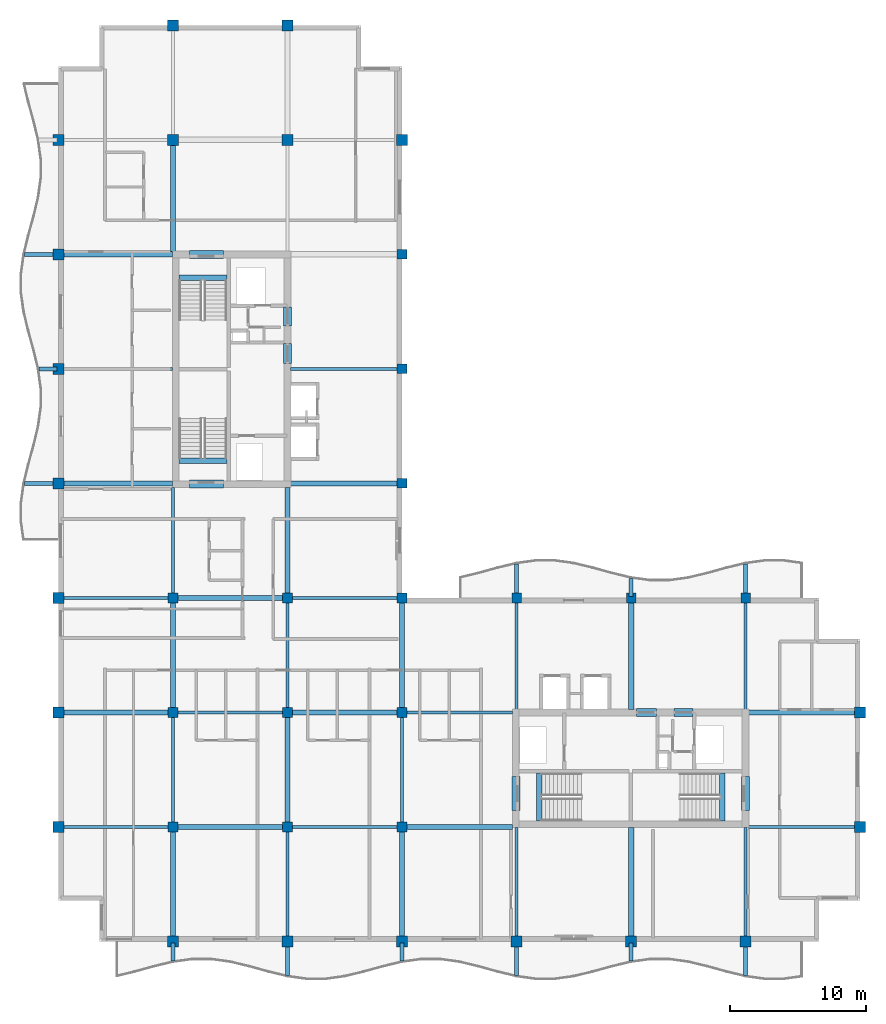
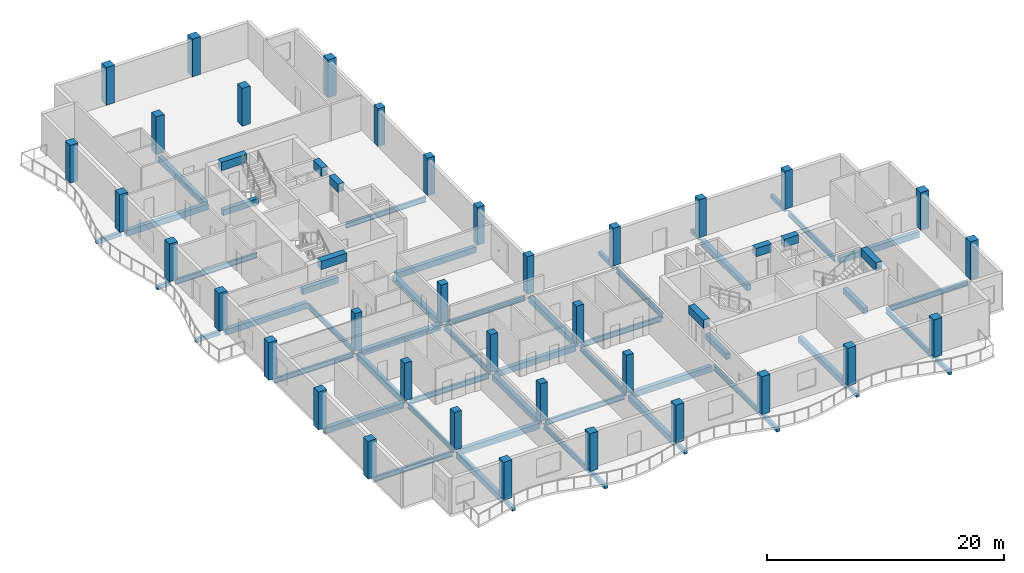
# One storey, part 1 of 11: 60 beams, 35 columns.
"""IFC4 building model written with IfcOpenShell, lengths in metres."""

from ifc_helpers import new_model, si_unit, direction, frame, origin, origin_2d, place, context, subcontext, project, spatial, rectangle, i_section, extrude, material, material_profile, profile_set, type_object, element, save


model = new_model("IFC4")

# Units and contexts
model_context = context("Model", 3, precision=1e-05, world=origin(), true_north=direction((0.0, 1.0)))
body_context = subcontext(model_context, "Body", "Model", "MODEL_VIEW")
ifc_project = project(units=[si_unit("LENGTHUNIT", "METRE"), si_unit("AREAUNIT", "SQUARE_METRE"), si_unit("VOLUMEUNIT", "CUBIC_METRE"), si_unit("PLANEANGLEUNIT", "RADIAN"), si_unit("MASSUNIT", "GRAM", prefix="KILO")], contexts=[model_context])

# Site, building, storey
site_placement = place(None, origin())
site = spatial("IfcSite", under=ifc_project, at=site_placement, CompositionType="ELEMENT")
building_placement = place(site_placement, origin())
building = spatial("IfcBuilding", under=site, at=building_placement, Name="Koriwani Terraces Tower", CompositionType="ELEMENT")
storey_placement = place(building_placement, frame((0.0, 0.0, 312.5)))
storey = spatial("IfcBuildingStorey", under=building, at=storey_placement, Name="L77", CompositionType="ELEMENT", Elevation=312.5)

# Columns
ifc_material_1 = material(Name="Concrete C50/60", Category="concrete")
ifc_material_profile_1 = material_profile(ifc_material_1, rectangle(XDim=0.699951171875, YDim=0.699951171875, at=origin_2d()), Name="Concrete C50/60", Category="LoadBearing")
ifc_profile_set_1 = profile_set([ifc_material_profile_1], Name="Concrete C50/60")
column_type_1 = type_object("IfcColumnType", Name="COL_RC_700X700", PredefinedType="COLUMN", material=ifc_profile_set_1)
for number, where, z_axis, x_axis, name in (
    (1, (16.800048828125, 16.800048828125, 0.0), (0.0, 0.0, 1.0), (1.0, 0.0, 0.0), "L77 Column 3/C"),
    (2, (16.800048828125, 25.199951171875, 0.0), (0.0, 0.0, 1.0), (1.0, 0.0, 0.0), "L77 Column 3/D"),
    (3, (16.800048828125, 33.60009765625, 0.0), (0.0, 0.0, 1.0), (1.0, 0.0, 0.0), "L77 Column 3/E"),
    (4, (25.199951171875, 16.800048828125, 0.0), (0.0, 0.0, 1.0), (1.0, 0.0, 0.0), "L77 Column 4/C"),
    (5, (25.199951171875, 25.199951171875, 0.0), (0.0, 0.0, 1.0), (1.0, 0.0, 0.0), "L77 Column 4/D"),
    (6, (25.199951171875, 33.60009765625, 0.0), (0.0, 0.0, 1.0), (1.0, 0.0, 0.0), "L77 Column 4/E"),
    (7, (33.60009765625, 16.800048828125, 0.0), (0.0, 0.0, 1.0), (1.0, 0.0, 0.0), "L77 Column 5/C"),
    (8, (33.60009765625, 25.199951171875, 0.0), (0.0, 0.0, 1.0), (1.0, 0.0, 0.0), "L77 Column 5/D"),
    (9, (33.60009765625, 33.60009765625, 0.0), (0.0, 0.0, 1.0), (1.0, 0.0, 0.0), "L77 Column 5/E"),
    (10, (33.60009765625, 42.0, 0.0), (0.0, 0.0, 1.0), (1.0, 0.0, 0.0), "L77 Column 5/F"),
    (11, (33.60009765625, 50.39990234375, 0.0), (0.0, 0.0, 1.0), (1.0, 0.0, 0.0), "L77 Column 5/G"),
    (12, (33.60009765625, 58.800048828125, 0.0), (0.0, 0.0, 1.0), (1.0, 0.0, 0.0), "L77 Column 5/H"),
    (13, (42.0, 33.60009765625, 0.0), (0.0, 0.0, 1.0), (1.0, 0.0, 0.0), "L77 Column 6/E"),
    (14, (50.39990234375, 33.60009765625, 0.0), (0.0, 0.0, 1.0), (1.0, 0.0, 0.0), "L77 Column 7/E"),
    (15, (58.800048828125, 33.60009765625, 0.0), (0.0, 0.0, 1.0), (1.0, 0.0, 0.0), "L77 Column 8/E"),
):
    element("IfcColumn", number, at=place(storey_placement, frame(where, z_axis=z_axis, x_axis=x_axis)), inside=storey, type_object=column_type_1, Name=name, PredefinedType="COLUMN", context=body_context, shape_type="SweptSolid", body=[
        extrude(rectangle(XDim=0.699951171875, YDim=0.699951171875, at=origin_2d()), origin(), (0.0, 0.0, 1.0), 3.89990234375),
    ])
ifc_material_profile_2 = material_profile(ifc_material_1, rectangle(XDim=0.800048828125, YDim=0.800048828125, at=origin_2d()), Name="Concrete C50/60", Category="LoadBearing")
ifc_profile_set_2 = profile_set([ifc_material_profile_2], Name="Concrete C50/60")
column_type_2 = type_object("IfcColumnType", Name="COL_RC_800X800", PredefinedType="COLUMN", material=ifc_profile_set_2)
for number, where, z_axis, x_axis, name in (
    (16, (8.39990234375, 16.800048828125, 0.0), (0.0, 0.0, 1.0), (1.0, 0.0, 0.0), "L77 Column 2/C"),
    (17, (8.39990234375, 25.199951171875, 0.0), (0.0, 0.0, 1.0), (1.0, 0.0, 0.0), "L77 Column 2/D"),
    (18, (8.39990234375, 33.60009765625, 0.0), (0.0, 0.0, 1.0), (1.0, 0.0, 0.0), "L77 Column 2/E"),
    (19, (8.39990234375, 42.0, 0.0), (0.0, 0.0, 1.0), (1.0, 0.0, 0.0), "L77 Column 2/F"),
    (20, (8.39990234375, 50.39990234375, 0.0), (0.0, 0.0, 1.0), (1.0, 0.0, 0.0), "L77 Column 2/G"),
    (21, (8.39990234375, 58.800048828125, 0.0), (0.0, 0.0, 1.0), (1.0, 0.0, 0.0), "L77 Column 2/H"),
    (22, (8.39990234375, 67.199951171875, 0.0), (0.0, 0.0, 1.0), (1.0, 0.0, 0.0), "L77 Column 2/I"),
    (23, (16.800048828125, 8.39990234375, 0.0), (0.0, 0.0, 1.0), (1.0, 0.0, 0.0), "L77 Column 3/B"),
    (24, (16.800048828125, 67.199951171875, 0.0), (0.0, 0.0, 1.0), (1.0, 0.0, 0.0), "L77 Column 3/I"),
    (25, (16.800048828125, 75.60009765625, 0.0), (0.0, 0.0, 1.0), (1.0, 0.0, 0.0), "L77 Column 3/J"),
    (26, (25.199951171875, 8.39990234375, 0.0), (0.0, 0.0, 1.0), (1.0, 0.0, 0.0), "L77 Column 4/B"),
    (27, (25.199951171875, 67.199951171875, 0.0), (0.0, 0.0, 1.0), (1.0, 0.0, 0.0), "L77 Column 4/I"),
    (28, (25.199951171875, 75.60009765625, 0.0), (0.0, 0.0, 1.0), (1.0, 0.0, 0.0), "L77 Column 4/J"),
    (29, (33.60009765625, 8.39990234375, 0.0), (0.0, 0.0, 1.0), (1.0, 0.0, 0.0), "L77 Column 5/B"),
    (30, (33.60009765625, 67.199951171875, 0.0), (0.0, 0.0, 1.0), (1.0, 0.0, 0.0), "L77 Column 5/I"),
    (31, (42.0, 8.39990234375, 0.0), (0.0, 0.0, 1.0), (1.0, 0.0, 0.0), "L77 Column 6/B"),
    (32, (50.39990234375, 8.39990234375, 0.0), (0.0, 0.0, 1.0), (1.0, 0.0, 0.0), "L77 Column 7/B"),
    (33, (58.800048828125, 8.39990234375, 0.0), (0.0, 0.0, 1.0), (1.0, 0.0, 0.0), "L77 Column 8/B"),
    (34, (67.199951171875, 16.800048828125, 0.0), (0.0, 0.0, 1.0), (1.0, 0.0, 0.0), "L77 Column 9/C"),
    (35, (67.199951171875, 25.199951171875, 0.0), (0.0, 0.0, 1.0), (1.0, 0.0, 0.0), "L77 Column 9/D"),
):
    element("IfcColumn", number, at=place(storey_placement, frame(where, z_axis=z_axis, x_axis=x_axis)), inside=storey, type_object=column_type_2, Name=name, PredefinedType="COLUMN", context=body_context, shape_type="SweptSolid", body=[
        extrude(rectangle(XDim=0.800048828125, YDim=0.800048828125, at=origin_2d()), origin(), (0.0, 0.0, 1.0), 3.89990234375),
    ])

# Beams
ifc_material_2 = material(Name="Concrete C40/50", Category="concrete")
ifc_material_profile_3 = material_profile(ifc_material_2, rectangle(XDim=0.300048828125, YDim=0.39990234375, at=origin_2d()), Name="Concrete C40/50", Category="LoadBearing")
ifc_profile_set_3 = profile_set([ifc_material_profile_3], Name="Concrete C40/50")
beam_type_1 = type_object("IfcBeamType", Name="BEAM_RC_BALCONY_RIB_300X400", PredefinedType="JOIST", material=ifc_profile_set_3)
beam_1_placement = place(storey_placement, frame((16.800048828125, 6.980224609375, -0.429931640625), z_axis=(0.0, 1.0, 0.0), x_axis=(-1.0, 0.0, 0.0)))
element("IfcBeam", 36, at=beam_1_placement, inside=storey, type_object=beam_type_1, Name="L77 Balcony Bracket Rib S-1", PredefinedType="JOIST", context=body_context, shape_type="SweptSolid", body=[
    extrude(rectangle(XDim=0.300048828125, YDim=0.39990234375, at=origin_2d()), origin(), (0.0, 0.0, 1.0), 1.31982421875),
])
beam_2_placement = place(storey_placement, frame((25.199951171875, 5.919677734375, -0.429931640625), z_axis=(0.0, 1.0, 0.0), x_axis=(-1.0, 0.0, 0.0)))
element("IfcBeam", 37, at=beam_2_placement, inside=storey, type_object=beam_type_1, Name="L77 Balcony Bracket Rib S-2", PredefinedType="JOIST", context=body_context, shape_type="SweptSolid", body=[
    extrude(rectangle(XDim=0.300048828125, YDim=0.39990234375, at=origin_2d()), origin(), (0.0, 0.0, 1.0), 2.38037109375),
])
beam_3_placement = place(storey_placement, frame((33.60009765625, 6.980224609375, -0.429931640625), z_axis=(0.0, 1.0, 0.0), x_axis=(-1.0, 0.0, 0.0)))
element("IfcBeam", 38, at=beam_3_placement, inside=storey, type_object=beam_type_1, Name="L77 Balcony Bracket Rib S-3", PredefinedType="JOIST", context=body_context, shape_type="SweptSolid", body=[
    extrude(rectangle(XDim=0.300048828125, YDim=0.39990234375, at=origin_2d()), origin(), (0.0, 0.0, 1.0), 1.31982421875),
])
beam_4_placement = place(storey_placement, frame((42.0, 5.919677734375, -0.429931640625), z_axis=(0.0, 1.0, 0.0), x_axis=(-1.0, 0.0, 0.0)))
element("IfcBeam", 39, at=beam_4_placement, inside=storey, type_object=beam_type_1, Name="L77 Balcony Bracket Rib S-4", PredefinedType="JOIST", context=body_context, shape_type="SweptSolid", body=[
    extrude(rectangle(XDim=0.300048828125, YDim=0.39990234375, at=origin_2d()), origin(), (0.0, 0.0, 1.0), 2.38037109375),
])
beam_5_placement = place(storey_placement, frame((50.39990234375, 6.980224609375, -0.429931640625), z_axis=(0.0, 1.0, 0.0), x_axis=(-1.0, 0.0, 0.0)))
element("IfcBeam", 40, at=beam_5_placement, inside=storey, type_object=beam_type_1, Name="L77 Balcony Bracket Rib S-5", PredefinedType="JOIST", context=body_context, shape_type="SweptSolid", body=[
    extrude(rectangle(XDim=0.300048828125, YDim=0.39990234375, at=origin_2d()), origin(), (0.0, 0.0, 1.0), 1.31982421875),
])
for number, where, z_axis, x_axis, name in (
    (41, (58.800048828125, 5.919677734375, -0.429931640625), (0.0, 1.0, 0.0), (-1.0, 0.0, 0.0), "L77 Balcony Bracket Rib S-6"),
    (42, (5.919677734375, 42.0, -0.429931640625), (1.0, 0.0, 0.0), (0.0, 1.0, 0.0), "L77 Balcony Bracket Rib W-1"),
):
    element("IfcBeam", number, at=place(storey_placement, frame(where, z_axis=z_axis, x_axis=x_axis)), inside=storey, type_object=beam_type_1, Name=name, PredefinedType="JOIST", context=body_context, shape_type="SweptSolid", body=[
        extrude(rectangle(XDim=0.300048828125, YDim=0.39990234375, at=origin_2d()), origin(), (0.0, 0.0, 1.0), 2.38037109375),
    ])
beam_6_placement = place(storey_placement, frame((6.980224609375, 50.39990234375, -0.429931640625), z_axis=(1.0, 0.0, 0.0), x_axis=(0.0, 1.0, 0.0)))
element("IfcBeam", 43, at=beam_6_placement, inside=storey, type_object=beam_type_1, Name="L77 Balcony Bracket Rib W-2", PredefinedType="JOIST", context=body_context, shape_type="SweptSolid", body=[
    extrude(rectangle(XDim=0.300048828125, YDim=0.39990234375, at=origin_2d()), origin(), (0.0, 0.0, 1.0), 1.31982421875),
])
for number, where, z_axis, x_axis, name in (
    (44, (5.919677734375, 58.800048828125, -0.429931640625), (1.0, 0.0, 0.0), (0.0, 1.0, 0.0), "L77 Balcony Bracket Rib W-3"),
    (45, (42.0, 33.699951171875, -0.429931640625), (0.0, 1.0, 0.0), (-1.0, 0.0, 0.0), "L77 Balcony Bracket Rib NE-1"),
):
    element("IfcBeam", number, at=place(storey_placement, frame(where, z_axis=z_axis, x_axis=x_axis)), inside=storey, type_object=beam_type_1, Name=name, PredefinedType="JOIST", context=body_context, shape_type="SweptSolid", body=[
        extrude(rectangle(XDim=0.300048828125, YDim=0.39990234375, at=origin_2d()), origin(), (0.0, 0.0, 1.0), 2.38037109375),
    ])
beam_7_placement = place(storey_placement, frame((50.39990234375, 33.699951171875, -0.429931640625), z_axis=(0.0, 1.0, 0.0), x_axis=(-1.0, 0.0, 0.0)))
element("IfcBeam", 46, at=beam_7_placement, inside=storey, type_object=beam_type_1, Name="L77 Balcony Bracket Rib NE-2", PredefinedType="JOIST", context=body_context, shape_type="SweptSolid", body=[
    extrude(rectangle(XDim=0.300048828125, YDim=0.39990234375, at=origin_2d()), origin(), (0.0, 0.0, 1.0), 1.31982421875),
])
beam_8_placement = place(storey_placement, frame((58.800048828125, 33.699951171875, -0.429931640625), z_axis=(0.0, 1.0, 0.0), x_axis=(-1.0, 0.0, 0.0)))
element("IfcBeam", 47, at=beam_8_placement, inside=storey, type_object=beam_type_1, Name="L77 Balcony Bracket Rib NE-3", PredefinedType="JOIST", context=body_context, shape_type="SweptSolid", body=[
    extrude(rectangle(XDim=0.300048828125, YDim=0.39990234375, at=origin_2d()), origin(), (0.0, 0.0, 1.0), 2.38037109375),
])
ifc_material_profile_4 = material_profile(ifc_material_1, rectangle(XDim=0.60009765625, YDim=0.85009765625, at=origin_2d()), Name="Concrete C50/60", Category="LoadBearing")
ifc_profile_set_4 = profile_set([ifc_material_profile_4], Name="Concrete C50/60")
beam_type_2 = type_object("IfcBeamType", Name="BEAM_RC_COUPLING_600X850", PredefinedType="LINTEL", material=ifc_profile_set_4)
beam_9_placement = place(storey_placement, frame((25.199951171875, 50.800048828125, 3.2451171875), z_axis=(0.0, 1.0, 0.0), x_axis=(-1.0, 0.0, 0.0)))
element("IfcBeam", 48, at=beam_9_placement, inside=storey, type_object=beam_type_2, Name="L77 Core Coupling Lintel Beam WE1", PredefinedType="LINTEL", context=body_context, shape_type="SweptSolid", body=[
    extrude(rectangle(XDim=0.60009765625, YDim=0.85009765625, at=origin_2d()), origin(), (0.0, 0.0, 1.0), 1.47998046875),
])
beam_10_placement = place(storey_placement, frame((25.199951171875, 53.550048828125, 3.2451171875), z_axis=(0.0, 1.0, 0.0), x_axis=(-1.0, 0.0, 0.0)))
element("IfcBeam", 49, at=beam_10_placement, inside=storey, type_object=beam_type_2, Name="L77 Core Coupling Lintel Beam WE2", PredefinedType="LINTEL", context=body_context, shape_type="SweptSolid", body=[
    extrude(rectangle(XDim=0.60009765625, YDim=0.85009765625, at=origin_2d()), origin(), (0.0, 0.0, 1.0), 1.39990234375),
])
for number, where, z_axis, x_axis, name in (
    (50, (18.0, 41.949951171875, 3.2451171875), (1.0, 0.0, 0.0), (0.0, 1.0, 0.0), "L77 Core Coupling Lintel Beam WS"),
    (51, (18.0, 58.800048828125, 3.2451171875), (1.0, 0.0, 0.0), (0.0, 1.0, 0.0), "L77 Core Coupling Lintel Beam WN"),
):
    element("IfcBeam", number, at=place(storey_placement, frame(where, z_axis=z_axis, x_axis=x_axis)), inside=storey, type_object=beam_type_2, Name=name, PredefinedType="LINTEL", context=body_context, shape_type="SweptSolid", body=[
        extrude(rectangle(XDim=0.60009765625, YDim=0.85009765625, at=origin_2d()), origin(), (0.0, 0.0, 1.0), 2.5),
    ])
beam_11_placement = place(storey_placement, frame((50.800048828125, 25.199951171875, 3.2451171875), z_axis=(1.0, 0.0, 0.0), x_axis=(0.0, 1.0, 0.0)))
element("IfcBeam", 52, at=beam_11_placement, inside=storey, type_object=beam_type_2, Name="L77 Core Coupling Lintel Beam EN1", PredefinedType="LINTEL", context=body_context, shape_type="SweptSolid", body=[
    extrude(rectangle(XDim=0.60009765625, YDim=0.85009765625, at=origin_2d()), origin(), (0.0, 0.0, 1.0), 1.47998046875),
])
beam_12_placement = place(storey_placement, frame((53.550048828125, 25.199951171875, 3.2451171875), z_axis=(1.0, 0.0, 0.0), x_axis=(0.0, 1.0, 0.0)))
element("IfcBeam", 53, at=beam_12_placement, inside=storey, type_object=beam_type_2, Name="L77 Core Coupling Lintel Beam EN2", PredefinedType="LINTEL", context=body_context, shape_type="SweptSolid", body=[
    extrude(rectangle(XDim=0.60009765625, YDim=0.85009765625, at=origin_2d()), origin(), (0.0, 0.0, 1.0), 1.39990234375),
])
for number, where, z_axis, x_axis, name in (
    (54, (41.949951171875, 18.0, 3.2451171875), (0.0, 1.0, 0.0), (-1.0, 0.0, 0.0), "L77 Core Coupling Lintel Beam EW"),
    (55, (58.800048828125, 18.0, 3.2451171875), (0.0, 1.0, 0.0), (-1.0, 0.0, 0.0), "L77 Core Coupling Lintel Beam EE"),
):
    element("IfcBeam", number, at=place(storey_placement, frame(where, z_axis=z_axis, x_axis=x_axis)), inside=storey, type_object=beam_type_2, Name=name, PredefinedType="LINTEL", context=body_context, shape_type="SweptSolid", body=[
        extrude(rectangle(XDim=0.60009765625, YDim=0.85009765625, at=origin_2d()), origin(), (0.0, 0.0, 1.0), 2.5),
    ])
ifc_material_profile_5 = material_profile(ifc_material_2, rectangle(XDim=0.39990234375, YDim=0.60009765625, at=origin_2d()), Name="Concrete C40/50", Category="LoadBearing")
ifc_profile_set_5 = profile_set([ifc_material_profile_5], Name="Concrete C40/50")
beam_type_3 = type_object("IfcBeamType", Name="BEAM_RC_GRID_400X600", PredefinedType="BEAM", material=ifc_profile_set_5)
for number, where, z_axis, x_axis, name in (
    (56, (17.25, 43.655029296875, -0.300048828125), (1.0, 0.0, 0.0), (0.0, 1.0, 0.0), "L77 Stairwell Header Trimmer Beam ST-W1"),
    (57, (17.25, 57.094970703125, -0.300048828125), (1.0, 0.0, 0.0), (0.0, 1.0, 0.0), "L77 Stairwell Header Trimmer Beam ST-W2"),
    (58, (43.655029296875, 17.25, -0.300048828125), (0.0, 1.0, 0.0), (-1.0, 0.0, 0.0), "L77 Stairwell Header Trimmer Beam ST-E1"),
    (59, (57.094970703125, 17.25, -0.300048828125), (0.0, 1.0, 0.0), (-1.0, 0.0, 0.0), "L77 Stairwell Header Trimmer Beam ST-E2"),
):
    element("IfcBeam", number, at=place(storey_placement, frame(where, z_axis=z_axis, x_axis=x_axis)), inside=storey, type_object=beam_type_3, Name=name, PredefinedType="BEAM", context=body_context, shape_type="SweptSolid", body=[
        extrude(rectangle(XDim=0.39990234375, YDim=0.60009765625, at=origin_2d()), origin(), (0.0, 0.0, 1.0), 3.5),
    ])
beam_13_placement = place(storey_placement, frame((17.1298828125, 16.800048828125, -0.530029296875), z_axis=(1.0, 0.0, 0.0), x_axis=(0.0, 1.0, 0.0)))
element("IfcBeam", 60, at=beam_13_placement, inside=storey, type_object=beam_type_3, Name="L77 Grid Beam C (16.8-25.2m)", PredefinedType="BEAM", context=body_context, shape_type="SweptSolid", body=[
    extrude(rectangle(XDim=0.39990234375, YDim=0.60009765625, at=origin_2d()), origin(), (0.0, 0.0, 1.0), 7.740234375),
])
beam_14_placement = place(storey_placement, frame((33.929931640625, 16.800048828125, -0.530029296875), z_axis=(1.0, 0.0, 0.0), x_axis=(0.0, 1.0, 0.0)))
element("IfcBeam", 61, at=beam_14_placement, inside=storey, type_object=beam_type_3, Name="L77 Grid Beam C (33.6-42.0m)", PredefinedType="BEAM", context=body_context, shape_type="SweptSolid", body=[
    extrude(rectangle(XDim=0.39990234375, YDim=0.60009765625, at=origin_2d()), origin(), (0.0, 0.0, 1.0), 7.7900390625),
])
beam_15_placement = place(storey_placement, frame((8.780029296875, 25.199951171875, -0.530029296875), z_axis=(1.0, 0.0, 0.0), x_axis=(0.0, 1.0, 0.0)))
element("IfcBeam", 62, at=beam_15_placement, inside=storey, type_object=beam_type_3, Name="L77 Grid Beam D (8.4-16.8m)", PredefinedType="BEAM", context=body_context, shape_type="SweptSolid", body=[
    extrude(rectangle(XDim=0.39990234375, YDim=0.60009765625, at=origin_2d()), origin(), (0.0, 0.0, 1.0), 7.68994140625),
])
beam_16_placement = place(storey_placement, frame((25.530029296875, 25.199951171875, -0.530029296875), z_axis=(1.0, 0.0, 0.0), x_axis=(0.0, 1.0, 0.0)))
element("IfcBeam", 63, at=beam_16_placement, inside=storey, type_object=beam_type_3, Name="L77 Grid Beam D (25.2-33.6m)", PredefinedType="BEAM", context=body_context, shape_type="SweptSolid", body=[
    extrude(rectangle(XDim=0.39990234375, YDim=0.60009765625, at=origin_2d()), origin(), (0.0, 0.0, 1.0), 7.739990234375),
])
beam_17_placement = place(storey_placement, frame((59.030029296875, 25.199951171875, -0.530029296875), z_axis=(1.0, 0.0, 0.0), x_axis=(0.0, 1.0, 0.0)))
element("IfcBeam", 64, at=beam_17_placement, inside=storey, type_object=beam_type_3, Name="L77 Grid Beam D (58.8-67.2m)", PredefinedType="BEAM", context=body_context, shape_type="SweptSolid", body=[
    extrude(rectangle(XDim=0.39990234375, YDim=0.60009765625, at=origin_2d()), origin(), (0.0, 0.0, 1.0), 7.7900390625),
])
beam_18_placement = place(storey_placement, frame((17.1298828125, 33.60009765625, -0.530029296875), z_axis=(1.0, 0.0, 0.0), x_axis=(0.0, 1.0, 0.0)))
element("IfcBeam", 65, at=beam_18_placement, inside=storey, type_object=beam_type_3, Name="L77 Grid Beam E (16.8-25.2m)", PredefinedType="BEAM", context=body_context, shape_type="SweptSolid", body=[
    extrude(rectangle(XDim=0.39990234375, YDim=0.60009765625, at=origin_2d()), origin(), (0.0, 0.0, 1.0), 7.740234375),
])
beam_19_placement = place(storey_placement, frame((8.780029296875, 42.0, -0.530029296875), z_axis=(1.0, 0.0, 0.0), x_axis=(0.0, 1.0, 0.0)))
element("IfcBeam", 66, at=beam_19_placement, inside=storey, type_object=beam_type_3, Name="L77 Grid Beam F (8.4-16.8m)", PredefinedType="BEAM", context=body_context, shape_type="SweptSolid", body=[
    extrude(rectangle(XDim=0.39990234375, YDim=0.60009765625, at=origin_2d()), origin(), (0.0, 0.0, 1.0), 7.989990234375),
])
beam_20_placement = place(storey_placement, frame((25.429931640625, 42.0, -0.530029296875), z_axis=(1.0, 0.0, 0.0), x_axis=(0.0, 1.0, 0.0)))
element("IfcBeam", 67, at=beam_20_placement, inside=storey, type_object=beam_type_3, Name="L77 Grid Beam F (25.2-33.6m)", PredefinedType="BEAM", context=body_context, shape_type="SweptSolid", body=[
    extrude(rectangle(XDim=0.39990234375, YDim=0.60009765625, at=origin_2d()), origin(), (0.0, 0.0, 1.0), 7.840087890625),
])
beam_21_placement = place(storey_placement, frame((8.780029296875, 58.800048828125, -0.530029296875), z_axis=(1.0, 0.0, 0.0), x_axis=(0.0, 1.0, 0.0)))
element("IfcBeam", 68, at=beam_21_placement, inside=storey, type_object=beam_type_3, Name="L77 Grid Beam H (8.4-16.8m)", PredefinedType="BEAM", context=body_context, shape_type="SweptSolid", body=[
    extrude(rectangle(XDim=0.39990234375, YDim=0.60009765625, at=origin_2d()), origin(), (0.0, 0.0, 1.0), 7.989990234375),
])
beam_22_placement = place(storey_placement, frame((16.800048828125, 8.780029296875, -0.530029296875), z_axis=(0.0, 1.0, 0.0), x_axis=(-1.0, 0.0, 0.0)))
element("IfcBeam", 69, at=beam_22_placement, inside=storey, type_object=beam_type_3, Name="L77 Grid Beam 3 (8.4-16.8m)", PredefinedType="BEAM", context=body_context, shape_type="SweptSolid", body=[
    extrude(rectangle(XDim=0.39990234375, YDim=0.60009765625, at=origin_2d()), origin(), (0.0, 0.0, 1.0), 7.68994140625),
])
beam_23_placement = place(storey_placement, frame((16.800048828125, 25.530029296875, -0.530029296875), z_axis=(0.0, 1.0, 0.0), x_axis=(-1.0, 0.0, 0.0)))
element("IfcBeam", 70, at=beam_23_placement, inside=storey, type_object=beam_type_3, Name="L77 Grid Beam 3 (25.2-33.6m)", PredefinedType="BEAM", context=body_context, shape_type="SweptSolid", body=[
    extrude(rectangle(XDim=0.39990234375, YDim=0.60009765625, at=origin_2d()), origin(), (0.0, 0.0, 1.0), 7.739990234375),
])
beam_24_placement = place(storey_placement, frame((16.800048828125, 59.030029296875, -0.530029296875), z_axis=(0.0, 1.0, 0.0), x_axis=(-1.0, 0.0, 0.0)))
element("IfcBeam", 71, at=beam_24_placement, inside=storey, type_object=beam_type_3, Name="L77 Grid Beam 3 (58.8-67.2m)", PredefinedType="BEAM", context=body_context, shape_type="SweptSolid", body=[
    extrude(rectangle(XDim=0.39990234375, YDim=0.60009765625, at=origin_2d()), origin(), (0.0, 0.0, 1.0), 7.7900390625),
])
beam_25_placement = place(storey_placement, frame((25.199951171875, 17.1298828125, -0.530029296875), z_axis=(0.0, 1.0, 0.0), x_axis=(-1.0, 0.0, 0.0)))
element("IfcBeam", 72, at=beam_25_placement, inside=storey, type_object=beam_type_3, Name="L77 Grid Beam 4 (16.8-25.2m)", PredefinedType="BEAM", context=body_context, shape_type="SweptSolid", body=[
    extrude(rectangle(XDim=0.39990234375, YDim=0.60009765625, at=origin_2d()), origin(), (0.0, 0.0, 1.0), 7.740234375),
])
beam_26_placement = place(storey_placement, frame((25.199951171875, 33.929931640625, -0.530029296875), z_axis=(0.0, 1.0, 0.0), x_axis=(-1.0, 0.0, 0.0)))
element("IfcBeam", 73, at=beam_26_placement, inside=storey, type_object=beam_type_3, Name="L77 Grid Beam 4 (33.6-42.0m)", PredefinedType="BEAM", context=body_context, shape_type="SweptSolid", body=[
    extrude(rectangle(XDim=0.39990234375, YDim=0.60009765625, at=origin_2d()), origin(), (0.0, 0.0, 1.0), 7.7900390625),
])
beam_27_placement = place(storey_placement, frame((33.60009765625, 8.780029296875, -0.530029296875), z_axis=(0.0, 1.0, 0.0), x_axis=(-1.0, 0.0, 0.0)))
element("IfcBeam", 74, at=beam_27_placement, inside=storey, type_object=beam_type_3, Name="L77 Grid Beam 5 (8.4-16.8m)", PredefinedType="BEAM", context=body_context, shape_type="SweptSolid", body=[
    extrude(rectangle(XDim=0.39990234375, YDim=0.60009765625, at=origin_2d()), origin(), (0.0, 0.0, 1.0), 7.68994140625),
])
beam_28_placement = place(storey_placement, frame((33.60009765625, 25.530029296875, -0.530029296875), z_axis=(0.0, 1.0, 0.0), x_axis=(-1.0, 0.0, 0.0)))
element("IfcBeam", 75, at=beam_28_placement, inside=storey, type_object=beam_type_3, Name="L77 Grid Beam 5 (25.2-33.6m)", PredefinedType="BEAM", context=body_context, shape_type="SweptSolid", body=[
    extrude(rectangle(XDim=0.39990234375, YDim=0.60009765625, at=origin_2d()), origin(), (0.0, 0.0, 1.0), 7.739990234375),
])
beam_29_placement = place(storey_placement, frame((50.39990234375, 8.780029296875, -0.530029296875), z_axis=(0.0, 1.0, 0.0), x_axis=(-1.0, 0.0, 0.0)))
element("IfcBeam", 76, at=beam_29_placement, inside=storey, type_object=beam_type_3, Name="L77 Grid Beam 7 (8.4-16.8m)", PredefinedType="BEAM", context=body_context, shape_type="SweptSolid", body=[
    extrude(rectangle(XDim=0.39990234375, YDim=0.60009765625, at=origin_2d()), origin(), (0.0, 0.0, 1.0), 7.989990234375),
])
beam_30_placement = place(storey_placement, frame((50.39990234375, 25.429931640625, -0.530029296875), z_axis=(0.0, 1.0, 0.0), x_axis=(-1.0, 0.0, 0.0)))
element("IfcBeam", 77, at=beam_30_placement, inside=storey, type_object=beam_type_3, Name="L77 Grid Beam 7 (25.2-33.6m)", PredefinedType="BEAM", context=body_context, shape_type="SweptSolid", body=[
    extrude(rectangle(XDim=0.39990234375, YDim=0.60009765625, at=origin_2d()), origin(), (0.0, 0.0, 1.0), 7.840087890625),
])
ifc_material_3 = material(Name="Steel ASTM A572 Grade 50", Category="steel")
ifc_material_profile_6 = material_profile(ifc_material_3, i_section(OverallWidth=0.2109375, OverallDepth=0.5390625, WebThickness=0.01171875, FlangeThickness=0.018798828125, at=origin_2d()), Name="Steel ASTM A572 Grade 50", Category="LoadBearing")
ifc_profile_set_6 = profile_set([ifc_material_profile_6], Name="Steel ASTM A572 Grade 50")
beam_type_4 = type_object("IfcBeamType", Name="STEEL_BEAM_W530X109", PredefinedType="BEAM", material=ifc_profile_set_6)
beam_31_placement = place(storey_placement, frame((8.780029296875, 16.800048828125, -0.49951171875), z_axis=(1.0, 0.0, 0.0), x_axis=(0.0, 1.0, 0.0)))
element("IfcBeam", 78, at=beam_31_placement, inside=storey, type_object=beam_type_4, Name="L77 Grid Beam C (8.4-16.8m)", PredefinedType="BEAM", context=body_context, shape_type="SweptSolid", body=[
    extrude(i_section(OverallWidth=0.2109375, OverallDepth=0.5390625, WebThickness=0.01171875, FlangeThickness=0.018798828125, at=origin_2d()), origin(), (0.0, 0.0, 1.0), 7.68994140625),
])
beam_32_placement = place(storey_placement, frame((25.530029296875, 16.800048828125, -0.49951171875), z_axis=(1.0, 0.0, 0.0), x_axis=(0.0, 1.0, 0.0)))
element("IfcBeam", 79, at=beam_32_placement, inside=storey, type_object=beam_type_4, Name="L77 Grid Beam C (25.2-33.6m)", PredefinedType="BEAM", context=body_context, shape_type="SweptSolid", body=[
    extrude(i_section(OverallWidth=0.2109375, OverallDepth=0.5390625, WebThickness=0.01171875, FlangeThickness=0.018798828125, at=origin_2d()), origin(), (0.0, 0.0, 1.0), 7.739990234375),
])
beam_33_placement = place(storey_placement, frame((59.030029296875, 16.800048828125, -0.49951171875), z_axis=(1.0, 0.0, 0.0), x_axis=(0.0, 1.0, 0.0)))
element("IfcBeam", 80, at=beam_33_placement, inside=storey, type_object=beam_type_4, Name="L77 Grid Beam C (58.8-67.2m)", PredefinedType="BEAM", context=body_context, shape_type="SweptSolid", body=[
    extrude(i_section(OverallWidth=0.2109375, OverallDepth=0.5390625, WebThickness=0.01171875, FlangeThickness=0.018798828125, at=origin_2d()), origin(), (0.0, 0.0, 1.0), 7.7900390625),
])
beam_34_placement = place(storey_placement, frame((17.1298828125, 25.199951171875, -0.49951171875), z_axis=(1.0, 0.0, 0.0), x_axis=(0.0, 1.0, 0.0)))
element("IfcBeam", 81, at=beam_34_placement, inside=storey, type_object=beam_type_4, Name="L77 Grid Beam D (16.8-25.2m)", PredefinedType="BEAM", context=body_context, shape_type="SweptSolid", body=[
    extrude(i_section(OverallWidth=0.2109375, OverallDepth=0.5390625, WebThickness=0.01171875, FlangeThickness=0.018798828125, at=origin_2d()), origin(), (0.0, 0.0, 1.0), 7.740234375),
])
beam_35_placement = place(storey_placement, frame((33.929931640625, 25.199951171875, -0.49951171875), z_axis=(1.0, 0.0, 0.0), x_axis=(0.0, 1.0, 0.0)))
element("IfcBeam", 82, at=beam_35_placement, inside=storey, type_object=beam_type_4, Name="L77 Grid Beam D (33.6-42.0m)", PredefinedType="BEAM", context=body_context, shape_type="SweptSolid", body=[
    extrude(i_section(OverallWidth=0.2109375, OverallDepth=0.5390625, WebThickness=0.01171875, FlangeThickness=0.018798828125, at=origin_2d()), origin(), (0.0, 0.0, 1.0), 7.7900390625),
])
beam_36_placement = place(storey_placement, frame((8.780029296875, 33.60009765625, -0.49951171875), z_axis=(1.0, 0.0, 0.0), x_axis=(0.0, 1.0, 0.0)))
element("IfcBeam", 83, at=beam_36_placement, inside=storey, type_object=beam_type_4, Name="L77 Grid Beam E (8.4-16.8m)", PredefinedType="BEAM", context=body_context, shape_type="SweptSolid", body=[
    extrude(i_section(OverallWidth=0.2109375, OverallDepth=0.5390625, WebThickness=0.01171875, FlangeThickness=0.018798828125, at=origin_2d()), origin(), (0.0, 0.0, 1.0), 7.68994140625),
])
beam_37_placement = place(storey_placement, frame((25.530029296875, 33.60009765625, -0.49951171875), z_axis=(1.0, 0.0, 0.0), x_axis=(0.0, 1.0, 0.0)))
element("IfcBeam", 84, at=beam_37_placement, inside=storey, type_object=beam_type_4, Name="L77 Grid Beam E (25.2-33.6m)", PredefinedType="BEAM", context=body_context, shape_type="SweptSolid", body=[
    extrude(i_section(OverallWidth=0.2109375, OverallDepth=0.5390625, WebThickness=0.01171875, FlangeThickness=0.018798828125, at=origin_2d()), origin(), (0.0, 0.0, 1.0), 7.739990234375),
])
beam_38_placement = place(storey_placement, frame((8.780029296875, 50.39990234375, -0.49951171875), z_axis=(1.0, 0.0, 0.0), x_axis=(0.0, 1.0, 0.0)))
element("IfcBeam", 85, at=beam_38_placement, inside=storey, type_object=beam_type_4, Name="L77 Grid Beam G (8.4-16.8m)", PredefinedType="BEAM", context=body_context, shape_type="SweptSolid", body=[
    extrude(i_section(OverallWidth=0.2109375, OverallDepth=0.5390625, WebThickness=0.01171875, FlangeThickness=0.018798828125, at=origin_2d()), origin(), (0.0, 0.0, 1.0), 7.989990234375),
])
beam_39_placement = place(storey_placement, frame((25.429931640625, 50.39990234375, -0.49951171875), z_axis=(1.0, 0.0, 0.0), x_axis=(0.0, 1.0, 0.0)))
element("IfcBeam", 86, at=beam_39_placement, inside=storey, type_object=beam_type_4, Name="L77 Grid Beam G (25.2-33.6m)", PredefinedType="BEAM", context=body_context, shape_type="SweptSolid", body=[
    extrude(i_section(OverallWidth=0.2109375, OverallDepth=0.5390625, WebThickness=0.01171875, FlangeThickness=0.018798828125, at=origin_2d()), origin(), (0.0, 0.0, 1.0), 7.840087890625),
])
beam_40_placement = place(storey_placement, frame((16.800048828125, 17.1298828125, -0.49951171875), z_axis=(0.0, 1.0, 0.0), x_axis=(-1.0, 0.0, 0.0)))
element("IfcBeam", 87, at=beam_40_placement, inside=storey, type_object=beam_type_4, Name="L77 Grid Beam 3 (16.8-25.2m)", PredefinedType="BEAM", context=body_context, shape_type="SweptSolid", body=[
    extrude(i_section(OverallWidth=0.2109375, OverallDepth=0.5390625, WebThickness=0.01171875, FlangeThickness=0.018798828125, at=origin_2d()), origin(), (0.0, 0.0, 1.0), 7.740234375),
])
beam_41_placement = place(storey_placement, frame((16.800048828125, 33.929931640625, -0.49951171875), z_axis=(0.0, 1.0, 0.0), x_axis=(-1.0, 0.0, 0.0)))
element("IfcBeam", 88, at=beam_41_placement, inside=storey, type_object=beam_type_4, Name="L77 Grid Beam 3 (33.6-42.0m)", PredefinedType="BEAM", context=body_context, shape_type="SweptSolid", body=[
    extrude(i_section(OverallWidth=0.2109375, OverallDepth=0.5390625, WebThickness=0.01171875, FlangeThickness=0.018798828125, at=origin_2d()), origin(), (0.0, 0.0, 1.0), 7.7900390625),
])
beam_42_placement = place(storey_placement, frame((25.199951171875, 8.780029296875, -0.49951171875), z_axis=(0.0, 1.0, 0.0), x_axis=(-1.0, 0.0, 0.0)))
element("IfcBeam", 89, at=beam_42_placement, inside=storey, type_object=beam_type_4, Name="L77 Grid Beam 4 (8.4-16.8m)", PredefinedType="BEAM", context=body_context, shape_type="SweptSolid", body=[
    extrude(i_section(OverallWidth=0.2109375, OverallDepth=0.5390625, WebThickness=0.01171875, FlangeThickness=0.018798828125, at=origin_2d()), origin(), (0.0, 0.0, 1.0), 7.68994140625),
])
beam_43_placement = place(storey_placement, frame((25.199951171875, 25.530029296875, -0.49951171875), z_axis=(0.0, 1.0, 0.0), x_axis=(-1.0, 0.0, 0.0)))
element("IfcBeam", 90, at=beam_43_placement, inside=storey, type_object=beam_type_4, Name="L77 Grid Beam 4 (25.2-33.6m)", PredefinedType="BEAM", context=body_context, shape_type="SweptSolid", body=[
    extrude(i_section(OverallWidth=0.2109375, OverallDepth=0.5390625, WebThickness=0.01171875, FlangeThickness=0.018798828125, at=origin_2d()), origin(), (0.0, 0.0, 1.0), 7.739990234375),
])
beam_44_placement = place(storey_placement, frame((33.60009765625, 17.1298828125, -0.49951171875), z_axis=(0.0, 1.0, 0.0), x_axis=(-1.0, 0.0, 0.0)))
element("IfcBeam", 91, at=beam_44_placement, inside=storey, type_object=beam_type_4, Name="L77 Grid Beam 5 (16.8-25.2m)", PredefinedType="BEAM", context=body_context, shape_type="SweptSolid", body=[
    extrude(i_section(OverallWidth=0.2109375, OverallDepth=0.5390625, WebThickness=0.01171875, FlangeThickness=0.018798828125, at=origin_2d()), origin(), (0.0, 0.0, 1.0), 7.740234375),
])
beam_45_placement = place(storey_placement, frame((42.0, 8.780029296875, -0.49951171875), z_axis=(0.0, 1.0, 0.0), x_axis=(-1.0, 0.0, 0.0)))
element("IfcBeam", 92, at=beam_45_placement, inside=storey, type_object=beam_type_4, Name="L77 Grid Beam 6 (8.4-16.8m)", PredefinedType="BEAM", context=body_context, shape_type="SweptSolid", body=[
    extrude(i_section(OverallWidth=0.2109375, OverallDepth=0.5390625, WebThickness=0.01171875, FlangeThickness=0.018798828125, at=origin_2d()), origin(), (0.0, 0.0, 1.0), 7.989990234375),
])
beam_46_placement = place(storey_placement, frame((42.0, 25.429931640625, -0.49951171875), z_axis=(0.0, 1.0, 0.0), x_axis=(-1.0, 0.0, 0.0)))
element("IfcBeam", 93, at=beam_46_placement, inside=storey, type_object=beam_type_4, Name="L77 Grid Beam 6 (25.2-33.6m)", PredefinedType="BEAM", context=body_context, shape_type="SweptSolid", body=[
    extrude(i_section(OverallWidth=0.2109375, OverallDepth=0.5390625, WebThickness=0.01171875, FlangeThickness=0.018798828125, at=origin_2d()), origin(), (0.0, 0.0, 1.0), 7.840087890625),
])
beam_47_placement = place(storey_placement, frame((58.800048828125, 8.780029296875, -0.49951171875), z_axis=(0.0, 1.0, 0.0), x_axis=(-1.0, 0.0, 0.0)))
element("IfcBeam", 94, at=beam_47_placement, inside=storey, type_object=beam_type_4, Name="L77 Grid Beam 8 (8.4-16.8m)", PredefinedType="BEAM", context=body_context, shape_type="SweptSolid", body=[
    extrude(i_section(OverallWidth=0.2109375, OverallDepth=0.5390625, WebThickness=0.01171875, FlangeThickness=0.018798828125, at=origin_2d()), origin(), (0.0, 0.0, 1.0), 7.989990234375),
])
beam_48_placement = place(storey_placement, frame((58.800048828125, 25.429931640625, -0.49951171875), z_axis=(0.0, 1.0, 0.0), x_axis=(-1.0, 0.0, 0.0)))
element("IfcBeam", 95, at=beam_48_placement, inside=storey, type_object=beam_type_4, Name="L77 Grid Beam 8 (25.2-33.6m)", PredefinedType="BEAM", context=body_context, shape_type="SweptSolid", body=[
    extrude(i_section(OverallWidth=0.2109375, OverallDepth=0.5390625, WebThickness=0.01171875, FlangeThickness=0.018798828125, at=origin_2d()), origin(), (0.0, 0.0, 1.0), 7.840087890625),
])

save(model, "model.ifc")
